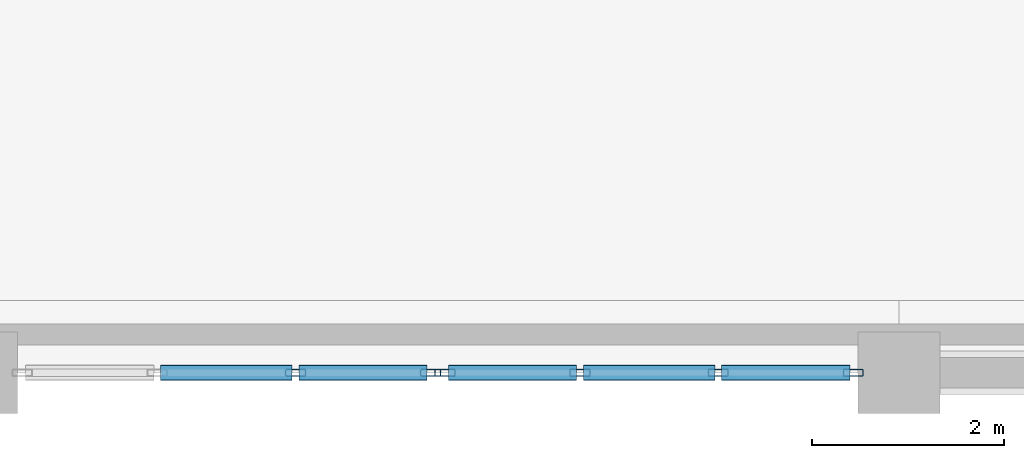
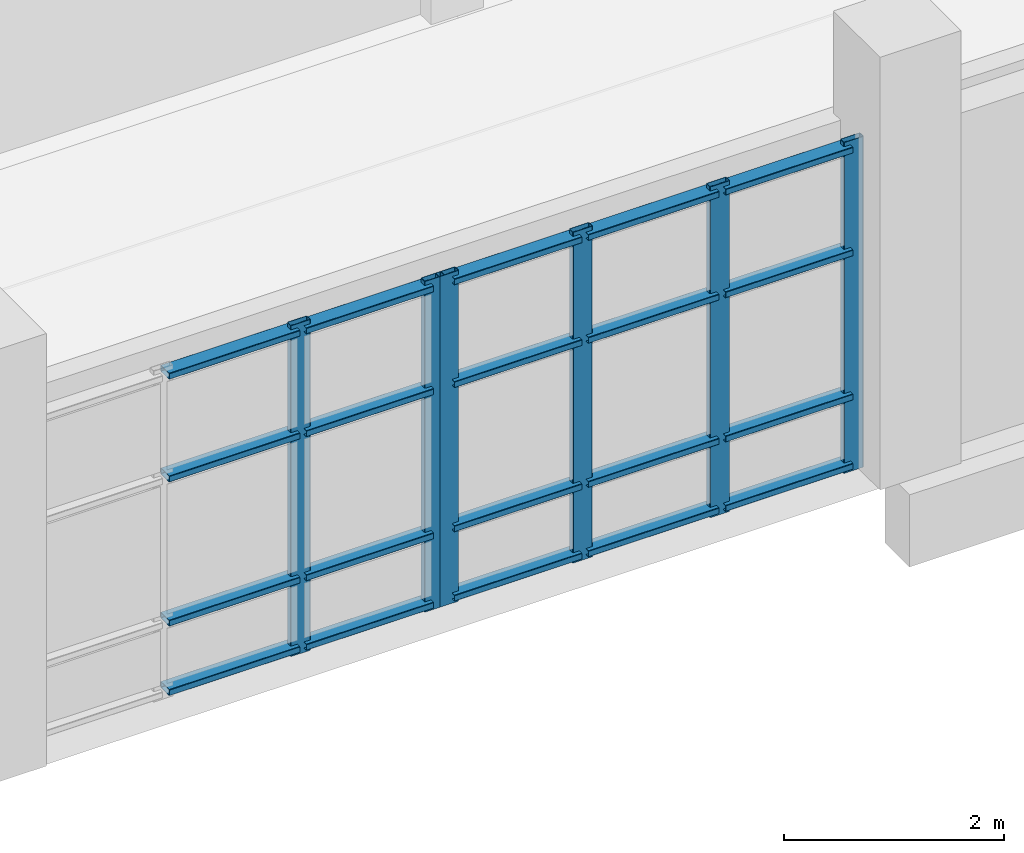
# One storey, part 25 of 97: 26 members, 2 elements without a shape of their own.
"""IFC4 building model written with IfcOpenShell, lengths in metres."""

import ifcopenshell
import ifcopenshell.guid

model = None  # the IFC model being written
_history = None  # IfcOwnerHistory: only IFC2X3 demands one
_inside = {}  # id of a spatial element -> (the spatial element, [elements in it])
_under = {}  # id of a project, library or spatial element -> (it, [spatial elements below it])
_declared = {}  # id of a project -> (the project, [libraries it declares])
_typed = {}  # id of a type object -> (the type object, [elements of that type])
_made_of = {}  # id of a material, layer set ... -> (it, [elements and type objects made of it])


def new_model(schema):
    """Start an empty IFC model of exactly this schema.

    Asked for "IFC4X3", IfcOpenShell would pick the latest addendum, in which some entities
    have other attributes; the version numbers below select the first issue.
    IFC2X3 requires an IfcOwnerHistory on every rooted entity: one is made here for all.
    """
    global model, _history
    if schema == "IFC4X3":
        model = ifcopenshell.file(schema_version=(4, 3, 0, 0))
    else:
        model = ifcopenshell.file(schema=schema)
    _inside.clear()
    _under.clear()
    _declared.clear()
    _typed.clear()
    _made_of.clear()
    _history = None
    if model.schema == "IFC2X3":
        org = make("IfcOrganization", Name="unknown")
        user = make(
            "IfcPersonAndOrganization",
            ThePerson=make("IfcPerson", FamilyName="unknown"),
            TheOrganization=org,
        )
        app = make(
            "IfcApplication",
            ApplicationDeveloper=org,
            Version="unknown",
            ApplicationFullName="unknown",
            ApplicationIdentifier="unknown",
        )
        _history = make(
            "IfcOwnerHistory",
            OwningUser=user,
            OwningApplication=app,
            ChangeAction="ADDED",
            CreationDate=0,
        )
    return model


def make(cls, **values):
    """One entity of the class cls with the attributes given. An attribute that is None is left unset."""
    return model.create_entity(
        cls, **{name: value for name, value in values.items() if value is not None}
    )


def rooted(cls, **values):
    """An entity with a GlobalId (a new one), such as an element, a storey or a relation."""
    return make(cls, GlobalId=ifcopenshell.guid.new(), OwnerHistory=_history, **values)


def si_unit(unit_type, name, prefix=None):
    """IfcSIUnit, for example si_unit("LENGTHUNIT", "METRE", prefix="MILLI")."""
    return make("IfcSIUnit", UnitType=unit_type, Prefix=prefix, Name=name)


def assignment(units):
    """IfcUnitAssignment: the units of a project."""
    return None if units is None else make("IfcUnitAssignment", Units=units)


def point(xyz):
    """IfcCartesianPoint."""
    return None if xyz is None else make("IfcCartesianPoint", Coordinates=xyz)


def direction(xyz):
    """IfcDirection."""
    return None if xyz is None else make("IfcDirection", DirectionRatios=xyz)


def frame(location, z_axis=None, x_axis=None):
    """IfcAxis2Placement3D, a coordinate frame: its origin and axes. An axis left out is left unset."""
    return make(
        "IfcAxis2Placement3D",
        Location=point(location),
        Axis=direction(z_axis),
        RefDirection=direction(x_axis),
    )


def frame_2d(location, x_axis=None):
    """IfcAxis2Placement2D, a coordinate frame in the plane: its origin and x axis."""
    return make(
        "IfcAxis2Placement2D", Location=point(location), RefDirection=direction(x_axis)
    )


def origin():
    """The frame at (0, 0, 0) with its axes left unset."""
    return frame((0.0, 0.0, 0.0))


def origin_2d():
    """The frame at (0, 0) in the plane with its x axis left unset."""
    return frame_2d((0.0, 0.0))


def place(relative_to, where):
    """IfcLocalPlacement: puts the frame where relative to a parent placement (None: the world)."""
    return make(
        "IfcLocalPlacement", PlacementRelTo=relative_to, RelativePlacement=where
    )


def context(
    kind, dimensions, precision=None, world=None, true_north=None, identifier=None
):
    """IfcGeometricRepresentationContext, for example the 3D "Model" context."""
    return make(
        "IfcGeometricRepresentationContext",
        ContextIdentifier=identifier,
        ContextType=kind,
        CoordinateSpaceDimension=dimensions,
        Precision=precision,
        WorldCoordinateSystem=world,
        TrueNorth=true_north,
    )


def subcontext(parent, identifier, kind, view, scale=None):
    """IfcGeometricRepresentationSubContext, for example "Body" below "Model"."""
    return make(
        "IfcGeometricRepresentationSubContext",
        ContextIdentifier=identifier,
        ContextType=kind,
        ParentContext=parent,
        TargetScale=scale,
        TargetView=view,
    )


def project(units=None, contexts=None):
    """IfcProject with its units and contexts."""
    return rooted(
        "IfcProject",
        Name="project",
        RepresentationContexts=contexts,
        UnitsInContext=assignment(units),
    )


def spatial(cls, under=None, at=None, **own):
    """A site, building, storey or space (cls), placed at a placement, below another one or the project."""
    s = rooted(cls, ObjectPlacement=at, **own)
    if under is not None:
        _under.setdefault(under.id(), (under, []))[1].append(s)
    return s


def profile(cls, at=None, kind="AREA", **sizes):
    """A parametric profile (cls). Its sizes go by their IFC names, for example OverallWidth=200.0."""
    return make(cls, ProfileType=kind, Position=at, **sizes)


def hollow_rectangle(**sizes):
    """IfcRectangleHollowProfileDef."""
    return profile("IfcRectangleHollowProfileDef", **sizes)


def extrude(swept, where, along, depth):
    """IfcExtrudedAreaSolid: the profile swept, set in the frame where, extruded along a direction by depth."""
    return make(
        "IfcExtrudedAreaSolid",
        SweptArea=swept,
        Position=where,
        ExtrudedDirection=direction(along),
        Depth=depth,
    )


def shape(context_of_items, identifier, shape_type, items):
    """IfcShapeRepresentation: the items that make up one representation, for example the "Body"."""
    return make(
        "IfcShapeRepresentation",
        ContextOfItems=context_of_items,
        RepresentationIdentifier=identifier,
        RepresentationType=shape_type,
        Items=items,
    )


def material(Name=None, Category=None):
    """IfcMaterial."""
    return make("IfcMaterial", Name=Name, Category=Category)


def layer(
    of_material, thickness, ventilated=None, Name=None, Category=None, Priority=None
):
    """IfcMaterialLayer: one layer of a wall or slab, of a material (None: an air gap)."""
    return make(
        "IfcMaterialLayer",
        Material=of_material,
        LayerThickness=thickness,
        IsVentilated=ventilated,
        Name=Name,
        Category=Category,
        Priority=Priority,
    )


def layer_set(layers, Name=None):
    """IfcMaterialLayerSet."""
    return make("IfcMaterialLayerSet", MaterialLayers=layers, LayerSetName=Name)


def material_profile(
    of_material, cross_section, Name=None, Category=None, Priority=None
):
    """IfcMaterialProfile: a cross section and its material."""
    return make(
        "IfcMaterialProfile",
        Name=Name,
        Material=of_material,
        Profile=cross_section,
        Priority=Priority,
        Category=Category,
    )


def profile_set(profiles, Name=None, composite=None):
    """IfcMaterialProfileSet."""
    return make(
        "IfcMaterialProfileSet",
        Name=Name,
        MaterialProfiles=profiles,
        CompositeProfile=composite,
    )


def made_of(thing, what):
    """Note that an element or type object is made of a material, layer set ...; save() writes the relation."""
    if what is not None:
        _made_of.setdefault(what.id(), (what, []))[1].append(thing)
    return thing


def type_object(cls, material=None, **own):
    """A type object (cls), such as IfcWallType, which elements share."""
    return made_of(rooted(cls, **own), material)


def element(
    cls,
    number,
    at=None,
    inside=None,
    cuts=None,
    type_object=None,
    material=None,
    context=None,
    identifier="Body",
    shape_type=None,
    held_by="IfcProductDefinitionShape",
    body=None,
    shapes=None,
    **own,
):
    """One element of the class cls, such as IfcWall. Its Tag is "e" and its number.

    at: its placement. inside: the storey or other place that contains it. cuts: it is an
    opening in that element (IfcRelVoidsElement). A single representation is given by context,
    identifier, shape_type and body (its items); several are given by shapes. held_by: the class
    of the entity that holds the representations. save() writes the other relations.
    """
    e = rooted(cls, Tag="e%d" % number, ObjectPlacement=at, **own)
    if body is not None:
        shapes = [shape(context, identifier, shape_type, body)]
    if shapes is not None:
        e.Representation = make(held_by, Representations=shapes)
    if inside is not None:
        _inside.setdefault(inside.id(), (inside, []))[1].append(e)
    if cuts is not None:
        rooted(
            "IfcRelVoidsElement", RelatingBuildingElement=cuts, RelatedOpeningElement=e
        )
    if type_object is not None:
        _typed.setdefault(type_object.id(), (type_object, []))[1].append(e)
    return made_of(e, material)


def aggregate(whole, parts):
    """IfcRelAggregates: a whole, such as a stair, and the parts it consists of."""
    return rooted("IfcRelAggregates", RelatingObject=whole, RelatedObjects=parts)


def save(model, path):
    """Write the relations noted so far, then the file.

    IfcRelAggregates (storeys below a building ...), IfcRelContainedInSpatialStructure (elements
    in a storey), IfcRelDefinesByType, IfcRelAssociatesMaterial and IfcRelDeclares: one each for
    every whole, place, type object, material and project.
    """
    for whole, parts in _under.values():
        aggregate(whole, parts)
    for where, things in _inside.values():
        rooted(
            "IfcRelContainedInSpatialStructure",
            RelatedElements=things,
            RelatingStructure=where,
        )
    for kind, things in _typed.values():
        rooted("IfcRelDefinesByType", RelatedObjects=things, RelatingType=kind)
    for what, things in _made_of.values():
        rooted("IfcRelAssociatesMaterial", RelatedObjects=things, RelatingMaterial=what)
    for by, libraries in _declared.values():
        rooted("IfcRelDeclares", RelatingContext=by, RelatedDefinitions=libraries)
    model.write(path)


model = new_model("IFC4")

# Units and contexts
model_context = context("Model", 3, precision=1e-05, world=origin(), true_north=direction((0.0, 1.0)))
body_context = subcontext(model_context, "Body", "Model", "MODEL_VIEW")
ifc_project = project(units=[si_unit("LENGTHUNIT", "METRE"), si_unit("AREAUNIT", "SQUARE_METRE"), si_unit("VOLUMEUNIT", "CUBIC_METRE"), si_unit("PLANEANGLEUNIT", "RADIAN"), si_unit("MASSUNIT", "GRAM", prefix="KILO")], contexts=[model_context])

# Site, building, storey
site_placement = place(None, origin())
site = spatial("IfcSite", under=ifc_project, at=site_placement, CompositionType="ELEMENT")
building_placement = place(site_placement, origin())
building = spatial("IfcBuilding", under=site, at=building_placement, Name="Kisaragi Civic Commons", CompositionType="ELEMENT")
storey_placement = place(building_placement, origin())
storey = spatial("IfcBuildingStorey", under=building, at=storey_placement, Name="L00", CompositionType="ELEMENT", Elevation=0.0)

# Curtain wall, members
ifc_material = material(Name="Thermally broken anodized aluminium and low-E double glazing", Category="aluminium")
ifc_layer = layer(ifc_material, 0.2099609375, Name="Thermally broken anodized aluminium and low-E double glazing", Category="aluminium")
ifc_layer_set = layer_set([ifc_layer], Name="Thermally broken anodized aluminium and low-E double glazing")
curtain_wall_type = type_object("IfcCurtainWallType", Name="CW-02", PredefinedType="NOTDEFINED", material=ifc_layer_set)
curtain_wall_1_placement = place(storey_placement, origin())
curtain_wall_1 = element("IfcCurtainWall", 1, at=curtain_wall_1_placement, inside=storey, type_object=curtain_wall_type, Name="L00 curtain wall CW-02 CW-V3-L00-013", PredefinedType="NOTDEFINED")
ifc_material_profile_1 = material_profile(ifc_material, hollow_rectangle(XDim=0.070068359375, YDim=0.2099609375, WallThickness=0.0048828125, InnerFilletRadius=0.0048828125, OuterFilletRadius=0.010009765625, at=origin_2d()), Name="CWM-70x210x5", Category="aluminium")
ifc_profile_set_1 = profile_set([ifc_material_profile_1], Name="Thermally broken anodized aluminium and low-E double glazing")
member_type_1 = type_object("IfcMemberType", Name="CWM-03", PredefinedType="MULLION", material=ifc_profile_set_1)
member_1_placement = place(storey_placement, frame((123.125, 0.0, 0.0), z_axis=(0.0, 0.0, 1.0), x_axis=(0.0, -1.0, 0.0)))
member_1 = element("IfcMember", 2, at=member_1_placement, type_object=member_type_1, Name="CW-02 mullion 1", PredefinedType="MULLION", context=body_context, shape_type="SweptSolid", body=[
    extrude(hollow_rectangle(XDim=0.070068359375, YDim=0.2099609375, WallThickness=0.0048828125, InnerFilletRadius=0.0048828125, OuterFilletRadius=0.010009765625, at=origin_2d()), origin(), (0.0, 0.0, 1.0), 3.669921875),
])
member_2_placement = place(storey_placement, frame((121.719970703125, 0.0, 0.0), z_axis=(0.0, 0.0, 1.0), x_axis=(0.0, -1.0, 0.0)))
member_2 = element("IfcMember", 3, at=member_2_placement, type_object=member_type_1, Name="CW-02 mullion 2", PredefinedType="MULLION", context=body_context, shape_type="SweptSolid", body=[
    extrude(hollow_rectangle(XDim=0.070068359375, YDim=0.2099609375, WallThickness=0.0048828125, InnerFilletRadius=0.0048828125, OuterFilletRadius=0.010009765625, at=origin_2d()), origin(), (0.0, 0.0, 1.0), 3.669921875),
])
member_3_placement = place(storey_placement, frame((120.280029296875, 0.0, 0.0), z_axis=(0.0, 0.0, 1.0), x_axis=(0.0, -1.0, 0.0)))
member_3 = element("IfcMember", 4, at=member_3_placement, type_object=member_type_1, Name="CW-02 mullion 3", PredefinedType="MULLION", context=body_context, shape_type="SweptSolid", body=[
    extrude(hollow_rectangle(XDim=0.070068359375, YDim=0.2099609375, WallThickness=0.0048828125, InnerFilletRadius=0.0048828125, OuterFilletRadius=0.010009765625, at=origin_2d()), origin(), (0.0, 0.0, 1.0), 3.669921875),
])
member_4_placement = place(storey_placement, frame((118.875, 0.0, 0.0), z_axis=(0.0, 0.0, 1.0), x_axis=(0.0, -1.0, 0.0)))
member_4 = element("IfcMember", 5, at=member_4_placement, type_object=member_type_1, Name="CW-02 mullion 4", PredefinedType="MULLION", context=body_context, shape_type="SweptSolid", body=[
    extrude(hollow_rectangle(XDim=0.070068359375, YDim=0.2099609375, WallThickness=0.0048828125, InnerFilletRadius=0.0048828125, OuterFilletRadius=0.010009765625, at=origin_2d()), origin(), (0.0, 0.0, 1.0), 3.669921875),
])

curtain_wall_2_placement = place(storey_placement, origin())
curtain_wall_2 = element("IfcCurtainWall", 6, at=curtain_wall_2_placement, inside=storey, type_object=curtain_wall_type, Name="L00 curtain wall CW-02 CW-V3-L00-014", PredefinedType="NOTDEFINED")
member_5_placement = place(storey_placement, frame((118.72509765625, 0.0, 0.0), z_axis=(0.0, 0.0, 1.0), x_axis=(0.0, -1.0, 0.0)))
member_5 = element("IfcMember", 7, at=member_5_placement, type_object=member_type_1, Name="CW-02 mullion 1", PredefinedType="MULLION", context=body_context, shape_type="SweptSolid", body=[
    extrude(hollow_rectangle(XDim=0.070068359375, YDim=0.2099609375, WallThickness=0.0048828125, InnerFilletRadius=0.0048828125, OuterFilletRadius=0.010009765625, at=origin_2d()), origin(), (0.0, 0.0, 1.0), 3.669921875),
])
member_6_placement = place(storey_placement, frame((117.320068359375, 0.0, 0.0), z_axis=(0.0, 0.0, 1.0), x_axis=(0.0, -1.0, 0.0)))
member_6 = element("IfcMember", 8, at=member_6_placement, type_object=member_type_1, Name="CW-02 mullion 2", PredefinedType="MULLION", context=body_context, shape_type="SweptSolid", body=[
    extrude(hollow_rectangle(XDim=0.070068359375, YDim=0.2099609375, WallThickness=0.0048828125, InnerFilletRadius=0.0048828125, OuterFilletRadius=0.010009765625, at=origin_2d()), origin(), (0.0, 0.0, 1.0), 3.669921875),
])

# Member
ifc_material_profile_2 = material_profile(ifc_material, hollow_rectangle(XDim=0.159912109375, YDim=0.070068359375, WallThickness=0.0048828125, InnerFilletRadius=0.0048828125, OuterFilletRadius=0.010009765625, at=origin_2d()), Name="CWT-70x160x5", Category="aluminium")
ifc_profile_set_2 = profile_set([ifc_material_profile_2], Name="Thermally broken anodized aluminium and low-E double glazing")
member_type_2 = type_object("IfcMemberType", Name="CWT-03", PredefinedType="USERDEFINED", material=ifc_profile_set_2)
member_7_placement = place(storey_placement, frame((123.090087890625, 0.0, 0.080078125), z_axis=(-1.0, 0.0, 0.0), x_axis=(0.0, -1.0, 0.0)))
member_7 = element("IfcMember", 9, at=member_7_placement, type_object=member_type_2, Name="CW-02 transom 1.1", ObjectType="TRANSOM", PredefinedType="USERDEFINED", context=body_context, shape_type="SweptSolid", body=[
    extrude(hollow_rectangle(XDim=0.159912109375, YDim=0.070068359375, WallThickness=0.0048828125, InnerFilletRadius=0.0048828125, OuterFilletRadius=0.010009765625, at=origin_2d()), origin(), (0.0, 0.0, 1.0), 1.335205078125),
])

member_8_placement = place(storey_placement, frame((123.090087890625, 0.0, 0.85009765625), z_axis=(-1.0, 0.0, 0.0), x_axis=(0.0, -1.0, 0.0)))
member_8 = element("IfcMember", 10, at=member_8_placement, type_object=member_type_2, Name="CW-02 transom 1.2", ObjectType="TRANSOM", PredefinedType="USERDEFINED", context=body_context, shape_type="SweptSolid", body=[
    extrude(hollow_rectangle(XDim=0.159912109375, YDim=0.070068359375, WallThickness=0.0048828125, InnerFilletRadius=0.0048828125, OuterFilletRadius=0.010009765625, at=origin_2d()), origin(), (0.0, 0.0, 1.0), 1.335205078125),
])

member_9_placement = place(storey_placement, frame((123.090087890625, 0.0, 2.449951171875), z_axis=(-1.0, 0.0, 0.0), x_axis=(0.0, -1.0, 0.0)))
member_9 = element("IfcMember", 11, at=member_9_placement, type_object=member_type_2, Name="CW-02 transom 1.3", ObjectType="TRANSOM", PredefinedType="USERDEFINED", context=body_context, shape_type="SweptSolid", body=[
    extrude(hollow_rectangle(XDim=0.159912109375, YDim=0.070068359375, WallThickness=0.0048828125, InnerFilletRadius=0.0048828125, OuterFilletRadius=0.010009765625, at=origin_2d()), origin(), (0.0, 0.0, 1.0), 1.335205078125),
])

member_10_placement = place(storey_placement, frame((123.090087890625, 0.0, 3.590087890625), z_axis=(-1.0, 0.0, 0.0), x_axis=(0.0, -1.0, 0.0)))
member_10 = element("IfcMember", 12, at=member_10_placement, type_object=member_type_2, Name="CW-02 transom 1.4", ObjectType="TRANSOM", PredefinedType="USERDEFINED", context=body_context, shape_type="SweptSolid", body=[
    extrude(hollow_rectangle(XDim=0.159912109375, YDim=0.070068359375, WallThickness=0.0048828125, InnerFilletRadius=0.0048828125, OuterFilletRadius=0.010009765625, at=origin_2d()), origin(), (0.0, 0.0, 1.0), 1.335205078125),
])

member_11_placement = place(storey_placement, frame((121.68505859375, 0.0, 0.080078125), z_axis=(-1.0, 0.0, 0.0), x_axis=(0.0, -1.0, 0.0)))
member_11 = element("IfcMember", 13, at=member_11_placement, type_object=member_type_2, Name="CW-02 transom 2.1", ObjectType="TRANSOM", PredefinedType="USERDEFINED", context=body_context, shape_type="SweptSolid", body=[
    extrude(hollow_rectangle(XDim=0.159912109375, YDim=0.070068359375, WallThickness=0.0048828125, InnerFilletRadius=0.0048828125, OuterFilletRadius=0.010009765625, at=origin_2d()), origin(), (0.0, 0.0, 1.0), 1.3701171875),
])

member_12_placement = place(storey_placement, frame((121.68505859375, 0.0, 0.85009765625), z_axis=(-1.0, 0.0, 0.0), x_axis=(0.0, -1.0, 0.0)))
member_12 = element("IfcMember", 14, at=member_12_placement, type_object=member_type_2, Name="CW-02 transom 2.2", ObjectType="TRANSOM", PredefinedType="USERDEFINED", context=body_context, shape_type="SweptSolid", body=[
    extrude(hollow_rectangle(XDim=0.159912109375, YDim=0.070068359375, WallThickness=0.0048828125, InnerFilletRadius=0.0048828125, OuterFilletRadius=0.010009765625, at=origin_2d()), origin(), (0.0, 0.0, 1.0), 1.3701171875),
])

member_13_placement = place(storey_placement, frame((121.68505859375, 0.0, 2.449951171875), z_axis=(-1.0, 0.0, 0.0), x_axis=(0.0, -1.0, 0.0)))
member_13 = element("IfcMember", 15, at=member_13_placement, type_object=member_type_2, Name="CW-02 transom 2.3", ObjectType="TRANSOM", PredefinedType="USERDEFINED", context=body_context, shape_type="SweptSolid", body=[
    extrude(hollow_rectangle(XDim=0.159912109375, YDim=0.070068359375, WallThickness=0.0048828125, InnerFilletRadius=0.0048828125, OuterFilletRadius=0.010009765625, at=origin_2d()), origin(), (0.0, 0.0, 1.0), 1.3701171875),
])

member_14_placement = place(storey_placement, frame((121.68505859375, 0.0, 3.590087890625), z_axis=(-1.0, 0.0, 0.0), x_axis=(0.0, -1.0, 0.0)))
member_14 = element("IfcMember", 16, at=member_14_placement, type_object=member_type_2, Name="CW-02 transom 2.4", ObjectType="TRANSOM", PredefinedType="USERDEFINED", context=body_context, shape_type="SweptSolid", body=[
    extrude(hollow_rectangle(XDim=0.159912109375, YDim=0.070068359375, WallThickness=0.0048828125, InnerFilletRadius=0.0048828125, OuterFilletRadius=0.010009765625, at=origin_2d()), origin(), (0.0, 0.0, 1.0), 1.3701171875),
])

member_15_placement = place(storey_placement, frame((120.2451171875, 0.0, 0.080078125), z_axis=(-1.0, 0.0, 0.0), x_axis=(0.0, -1.0, 0.0)))
member_15 = element("IfcMember", 17, at=member_15_placement, type_object=member_type_2, Name="CW-02 transom 3.1", ObjectType="TRANSOM", PredefinedType="USERDEFINED", context=body_context, shape_type="SweptSolid", body=[
    extrude(hollow_rectangle(XDim=0.159912109375, YDim=0.070068359375, WallThickness=0.0048828125, InnerFilletRadius=0.0048828125, OuterFilletRadius=0.010009765625, at=origin_2d()), origin(), (0.0, 0.0, 1.0), 1.335205078125),
])

member_16_placement = place(storey_placement, frame((120.2451171875, 0.0, 0.85009765625), z_axis=(-1.0, 0.0, 0.0), x_axis=(0.0, -1.0, 0.0)))
member_16 = element("IfcMember", 18, at=member_16_placement, type_object=member_type_2, Name="CW-02 transom 3.2", ObjectType="TRANSOM", PredefinedType="USERDEFINED", context=body_context, shape_type="SweptSolid", body=[
    extrude(hollow_rectangle(XDim=0.159912109375, YDim=0.070068359375, WallThickness=0.0048828125, InnerFilletRadius=0.0048828125, OuterFilletRadius=0.010009765625, at=origin_2d()), origin(), (0.0, 0.0, 1.0), 1.335205078125),
])

member_17_placement = place(storey_placement, frame((120.2451171875, 0.0, 2.449951171875), z_axis=(-1.0, 0.0, 0.0), x_axis=(0.0, -1.0, 0.0)))
member_17 = element("IfcMember", 19, at=member_17_placement, type_object=member_type_2, Name="CW-02 transom 3.3", ObjectType="TRANSOM", PredefinedType="USERDEFINED", context=body_context, shape_type="SweptSolid", body=[
    extrude(hollow_rectangle(XDim=0.159912109375, YDim=0.070068359375, WallThickness=0.0048828125, InnerFilletRadius=0.0048828125, OuterFilletRadius=0.010009765625, at=origin_2d()), origin(), (0.0, 0.0, 1.0), 1.335205078125),
])

member_18_placement = place(storey_placement, frame((120.2451171875, 0.0, 3.590087890625), z_axis=(-1.0, 0.0, 0.0), x_axis=(0.0, -1.0, 0.0)))
member_18 = element("IfcMember", 20, at=member_18_placement, type_object=member_type_2, Name="CW-02 transom 3.4", ObjectType="TRANSOM", PredefinedType="USERDEFINED", context=body_context, shape_type="SweptSolid", body=[
    extrude(hollow_rectangle(XDim=0.159912109375, YDim=0.070068359375, WallThickness=0.0048828125, InnerFilletRadius=0.0048828125, OuterFilletRadius=0.010009765625, at=origin_2d()), origin(), (0.0, 0.0, 1.0), 1.335205078125),
])

aggregate(curtain_wall_1, [member_1, member_2, member_3, member_4, member_7, member_8, member_9, member_10, member_11, member_12, member_13, member_14, member_15, member_16, member_17, member_18])

member_19_placement = place(storey_placement, frame((118.68994140625, 0.0, 0.080078125), z_axis=(-1.0, 0.0, 0.0), x_axis=(0.0, -1.0, 0.0)))
member_19 = element("IfcMember", 21, at=member_19_placement, type_object=member_type_2, Name="CW-02 transom 1.1", ObjectType="TRANSOM", PredefinedType="USERDEFINED", context=body_context, shape_type="SweptSolid", body=[
    extrude(hollow_rectangle(XDim=0.159912109375, YDim=0.070068359375, WallThickness=0.0048828125, InnerFilletRadius=0.0048828125, OuterFilletRadius=0.010009765625, at=origin_2d()), origin(), (0.0, 0.0, 1.0), 1.3349609375),
])

member_20_placement = place(storey_placement, frame((118.68994140625, 0.0, 0.85009765625), z_axis=(-1.0, 0.0, 0.0), x_axis=(0.0, -1.0, 0.0)))
member_20 = element("IfcMember", 22, at=member_20_placement, type_object=member_type_2, Name="CW-02 transom 1.2", ObjectType="TRANSOM", PredefinedType="USERDEFINED", context=body_context, shape_type="SweptSolid", body=[
    extrude(hollow_rectangle(XDim=0.159912109375, YDim=0.070068359375, WallThickness=0.0048828125, InnerFilletRadius=0.0048828125, OuterFilletRadius=0.010009765625, at=origin_2d()), origin(), (0.0, 0.0, 1.0), 1.3349609375),
])

member_21_placement = place(storey_placement, frame((118.68994140625, 0.0, 2.449951171875), z_axis=(-1.0, 0.0, 0.0), x_axis=(0.0, -1.0, 0.0)))
member_21 = element("IfcMember", 23, at=member_21_placement, type_object=member_type_2, Name="CW-02 transom 1.3", ObjectType="TRANSOM", PredefinedType="USERDEFINED", context=body_context, shape_type="SweptSolid", body=[
    extrude(hollow_rectangle(XDim=0.159912109375, YDim=0.070068359375, WallThickness=0.0048828125, InnerFilletRadius=0.0048828125, OuterFilletRadius=0.010009765625, at=origin_2d()), origin(), (0.0, 0.0, 1.0), 1.3349609375),
])

member_22_placement = place(storey_placement, frame((118.68994140625, 0.0, 3.590087890625), z_axis=(-1.0, 0.0, 0.0), x_axis=(0.0, -1.0, 0.0)))
member_22 = element("IfcMember", 24, at=member_22_placement, type_object=member_type_2, Name="CW-02 transom 1.4", ObjectType="TRANSOM", PredefinedType="USERDEFINED", context=body_context, shape_type="SweptSolid", body=[
    extrude(hollow_rectangle(XDim=0.159912109375, YDim=0.070068359375, WallThickness=0.0048828125, InnerFilletRadius=0.0048828125, OuterFilletRadius=0.010009765625, at=origin_2d()), origin(), (0.0, 0.0, 1.0), 1.3349609375),
])

member_23_placement = place(storey_placement, frame((117.284912109375, 0.0, 0.080078125), z_axis=(-1.0, 0.0, 0.0), x_axis=(0.0, -1.0, 0.0)))
member_23 = element("IfcMember", 25, at=member_23_placement, type_object=member_type_2, Name="CW-02 transom 2.1", ObjectType="TRANSOM", PredefinedType="USERDEFINED", context=body_context, shape_type="SweptSolid", body=[
    extrude(hollow_rectangle(XDim=0.159912109375, YDim=0.070068359375, WallThickness=0.0048828125, InnerFilletRadius=0.0048828125, OuterFilletRadius=0.010009765625, at=origin_2d()), origin(), (0.0, 0.0, 1.0), 1.369873046875),
])

member_24_placement = place(storey_placement, frame((117.284912109375, 0.0, 0.85009765625), z_axis=(-1.0, 0.0, 0.0), x_axis=(0.0, -1.0, 0.0)))
member_24 = element("IfcMember", 26, at=member_24_placement, type_object=member_type_2, Name="CW-02 transom 2.2", ObjectType="TRANSOM", PredefinedType="USERDEFINED", context=body_context, shape_type="SweptSolid", body=[
    extrude(hollow_rectangle(XDim=0.159912109375, YDim=0.070068359375, WallThickness=0.0048828125, InnerFilletRadius=0.0048828125, OuterFilletRadius=0.010009765625, at=origin_2d()), origin(), (0.0, 0.0, 1.0), 1.369873046875),
])

member_25_placement = place(storey_placement, frame((117.284912109375, 0.0, 2.449951171875), z_axis=(-1.0, 0.0, 0.0), x_axis=(0.0, -1.0, 0.0)))
member_25 = element("IfcMember", 27, at=member_25_placement, type_object=member_type_2, Name="CW-02 transom 2.3", ObjectType="TRANSOM", PredefinedType="USERDEFINED", context=body_context, shape_type="SweptSolid", body=[
    extrude(hollow_rectangle(XDim=0.159912109375, YDim=0.070068359375, WallThickness=0.0048828125, InnerFilletRadius=0.0048828125, OuterFilletRadius=0.010009765625, at=origin_2d()), origin(), (0.0, 0.0, 1.0), 1.369873046875),
])

member_26_placement = place(storey_placement, frame((117.284912109375, 0.0, 3.590087890625), z_axis=(-1.0, 0.0, 0.0), x_axis=(0.0, -1.0, 0.0)))
member_26 = element("IfcMember", 28, at=member_26_placement, type_object=member_type_2, Name="CW-02 transom 2.4", ObjectType="TRANSOM", PredefinedType="USERDEFINED", context=body_context, shape_type="SweptSolid", body=[
    extrude(hollow_rectangle(XDim=0.159912109375, YDim=0.070068359375, WallThickness=0.0048828125, InnerFilletRadius=0.0048828125, OuterFilletRadius=0.010009765625, at=origin_2d()), origin(), (0.0, 0.0, 1.0), 1.369873046875),
])

aggregate(curtain_wall_2, [member_5, member_6, member_19, member_20, member_21, member_22, member_23, member_24, member_25, member_26])

save(model, "model.ifc")
